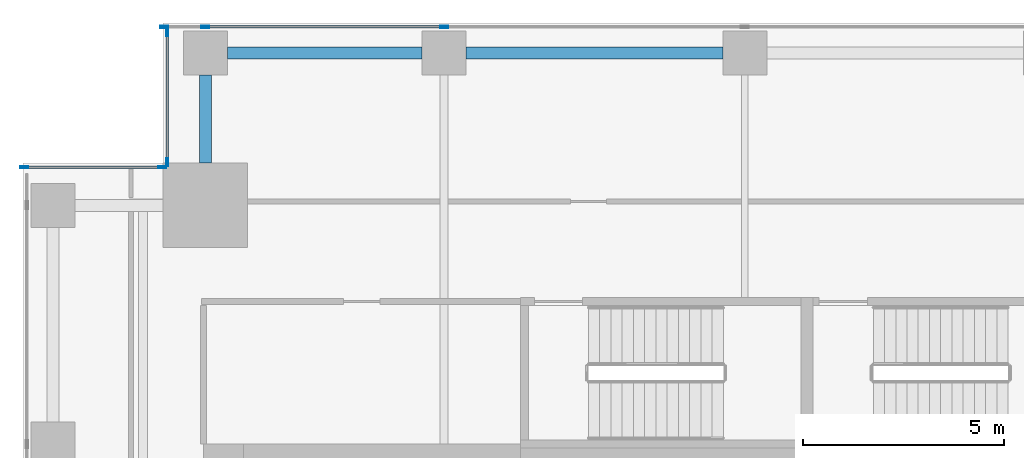
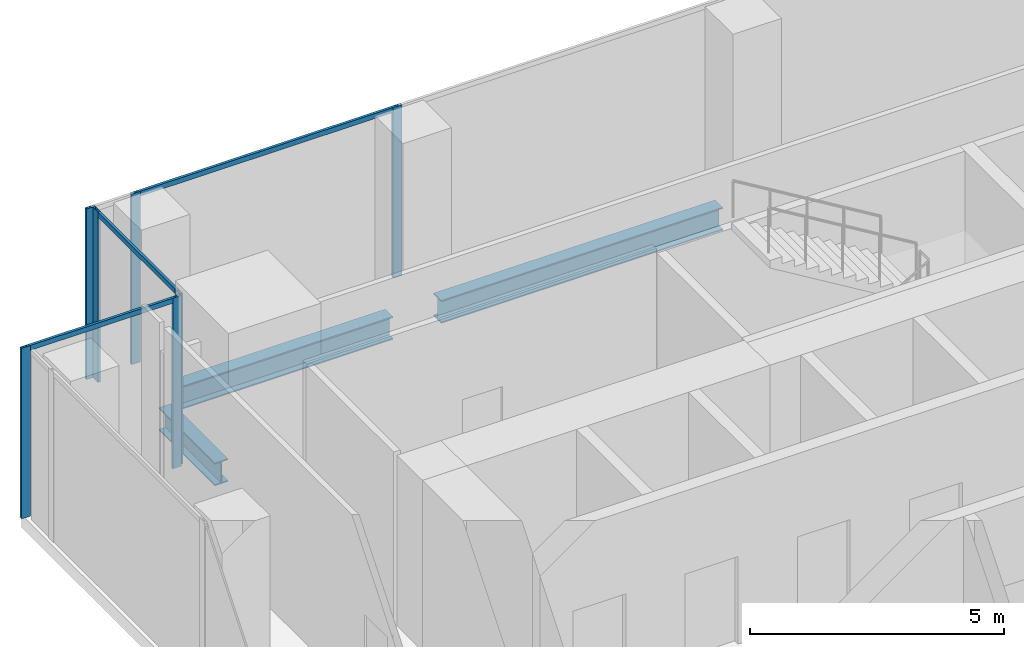
# One storey, part 16 of 35: 10 members, 3 beams, 3 elements without a shape of their own.
"""IFC4 building model written with IfcOpenShell, lengths in metres."""

from ifc_helpers import new_model, si_unit, direction, frame, origin, origin_2d, place, context, subcontext, project, spatial, hollow_rectangle, i_section, extrude, source, transform, mapped, material, material_profile, profile_set, type_object, element, aggregate, save


model = new_model("IFC4")

# Units and contexts
model_context = context("Model", 3, precision=1e-05, world=origin(), true_north=direction((0.0, 1.0)))
body_context = subcontext(model_context, "Body", "Model", "MODEL_VIEW")
ifc_project = project(units=[si_unit("LENGTHUNIT", "METRE"), si_unit("AREAUNIT", "SQUARE_METRE"), si_unit("VOLUMEUNIT", "CUBIC_METRE"), si_unit("PLANEANGLEUNIT", "RADIAN"), si_unit("MASSUNIT", "GRAM", prefix="KILO")], contexts=[model_context])

# Site, building, storey
site_placement = place(None, origin())
site = spatial("IfcSite", under=ifc_project, at=site_placement, CompositionType="ELEMENT")
building_placement = place(site_placement, origin())
building = spatial("IfcBuilding", under=site, at=building_placement, Name="Khomas Fold Tower", CompositionType="ELEMENT")
storey_placement = place(building_placement, frame((0.0, 0.0, 132.300048828125)))
storey = spatial("IfcBuildingStorey", under=building, at=storey_placement, Name="L28", CompositionType="ELEMENT", Elevation=132.300048828125)

# Beams
ifc_material_1 = material(Name="Steel S355", Category="steel")
ifc_material_profile_1 = material_profile(ifc_material_1, i_section(OverallWidth=0.300048828125, OverallDepth=0.550048828125, WebThickness=0.014892578125, FlangeThickness=0.029052734375, at=origin_2d()), Name="HE 550 B")
ifc_profile_set_1 = profile_set([ifc_material_profile_1], Name="Steel S355")
beam_type = type_object("IfcBeamType", Name="HE 550 B spandrel SB2", PredefinedType="SPANDREL", material=ifc_profile_set_1)
shared_shape_1 = source(origin(), body_context, "Body", "SweptSolid", [
    extrude(i_section(OverallWidth=0.300048828125, OverallDepth=0.550048828125, WebThickness=0.014892578125, FlangeThickness=0.029052734375, at=origin_2d()), origin(), (0.0, 0.0, 1.0), 4.849853515625),
])
beam_1_placement = place(storey_placement, frame((6.60009765625, 51.75, -0.574951171875), z_axis=(1.0, 0.0, 0.0), x_axis=(0.0, 1.0, 0.0)))
element("IfcBeam", 1, at=beam_1_placement, inside=storey, type_object=beam_type, Name="SB2", PredefinedType="SPANDREL", context=body_context, shape_type="MappedRepresentation", body=[
    mapped(shared_shape_1, transform((0.0, 0.0, 0.0))),
])
shared_shape_2 = source(origin(), body_context, "Body", "SweptSolid", [
    extrude(i_section(OverallWidth=0.300048828125, OverallDepth=0.550048828125, WebThickness=0.014892578125, FlangeThickness=0.029052734375, at=origin_2d()), origin(), (0.0, 0.0, 1.0), 6.39990234375),
])
beam_2_placement = place(storey_placement, frame((12.550048828125, 51.75, -0.574951171875), z_axis=(1.0, 0.0, 0.0), x_axis=(0.0, 1.0, 0.0)))
element("IfcBeam", 2, at=beam_2_placement, inside=storey, type_object=beam_type, Name="SB2", PredefinedType="SPANDREL", context=body_context, shape_type="MappedRepresentation", body=[
    mapped(shared_shape_2, transform((0.0, 0.0, 0.0))),
])
shared_shape_3 = source(origin(), body_context, "Body", "SweptSolid", [
    extrude(i_section(OverallWidth=0.300048828125, OverallDepth=0.550048828125, WebThickness=0.014892578125, FlangeThickness=0.029052734375, at=origin_2d()), origin(), (0.0, 0.0, 1.0), 2.199951171875),
])
beam_3_placement = place(storey_placement, frame((6.050048828125, 49.0, -0.574951171875), z_axis=(0.0, 1.0, 0.0), x_axis=(-1.0, 0.0, 0.0)))
element("IfcBeam", 3, at=beam_3_placement, inside=storey, type_object=beam_type, Name="SB2", PredefinedType="SPANDREL", context=body_context, shape_type="MappedRepresentation", body=[
    mapped(shared_shape_3, transform((0.0, 0.0, 0.0))),
])

# Curtain wall, member
ifc_material_2 = material(Name="Aluminium framed double glazing", Category="aluminium")
curtain_wall_type = type_object("IfcCurtainWallType", Name="SK-Unitised clear-glass wall, growing floors CW1", PredefinedType="NOTDEFINED", material=ifc_material_2)
curtain_wall_1_placement = place(storey_placement, origin())
curtain_wall_1 = element("IfcCurtainWall", 4, at=curtain_wall_1_placement, inside=storey, type_object=curtain_wall_type, Name="CW1 run L28 06-0", PredefinedType="NOTDEFINED")
ifc_material_3 = material(Name="Aluminium", Category="aluminium")
ifc_material_profile_2 = material_profile(ifc_material_3, hollow_rectangle(XDim=0.06005859375, YDim=0.1201171875, WallThickness=0.00390625, at=origin_2d()), Name="SK-Unitised clear-glass wall, growing floors transom CW1-T")
ifc_profile_set_2 = profile_set([ifc_material_profile_2], Name="Aluminium")
member_type_1 = type_object("IfcMemberType", Name="SK-Unitised clear-glass wall, growing floors transom CW1-T", PredefinedType="USERDEFINED", material=ifc_profile_set_2)
shared_shape_4 = source(origin(), body_context, "Body", "SweptSolid", [
    extrude(hollow_rectangle(XDim=0.06005859375, YDim=0.1201171875, WallThickness=0.00390625, at=origin_2d()), origin(), (0.0, 0.0, 1.0), 5.889892578125),
])
member_1_placement = place(storey_placement, frame((11.969970703125, 52.39990234375, 4.0400390625), z_axis=(-1.0, 0.0, 0.0), x_axis=(0.0, -1.0, 0.0)))
member_1 = element("IfcMember", 5, at=member_1_placement, type_object=member_type_1, Name="CW1 transom 7", ObjectType="TRANSOM", PredefinedType="USERDEFINED", context=body_context, shape_type="MappedRepresentation", body=[
    mapped(shared_shape_4, transform((0.0, 0.0, 0.0))),
])

curtain_wall_2_placement = place(storey_placement, origin())
curtain_wall_2 = element("IfcCurtainWall", 6, at=curtain_wall_2_placement, inside=storey, type_object=curtain_wall_type, Name="CW1 corner return L28 07", PredefinedType="NOTDEFINED")
shared_shape_5 = source(origin(), body_context, "Body", "SweptSolid", [
    extrude(hollow_rectangle(XDim=0.06005859375, YDim=0.1201171875, WallThickness=0.00390625, at=origin_2d()), origin(), (0.0, 0.0, 1.0), 3.179931640625),
])
member_2_placement = place(storey_placement, frame((5.10009765625, 52.239990234375, 4.0400390625), z_axis=(0.0, -1.0, 0.0), x_axis=(1.0, 0.0, 0.0)))
member_2 = element("IfcMember", 7, at=member_2_placement, type_object=member_type_1, Name="CW1 transom 1", ObjectType="TRANSOM", PredefinedType="USERDEFINED", context=body_context, shape_type="MappedRepresentation", body=[
    mapped(shared_shape_5, transform((0.0, 0.0, 0.0))),
])

curtain_wall_3_placement = place(storey_placement, origin())
curtain_wall_3 = element("IfcCurtainWall", 8, at=curtain_wall_3_placement, inside=storey, type_object=curtain_wall_type, Name="CW1 corner return L28 08", PredefinedType="NOTDEFINED")
shared_shape_6 = source(origin(), body_context, "Body", "SweptSolid", [
    extrude(hollow_rectangle(XDim=0.06005859375, YDim=0.1201171875, WallThickness=0.00390625, at=origin_2d()), origin(), (0.0, 0.0, 1.0), 3.3798828125),
])
member_3_placement = place(storey_placement, frame((4.93994140625, 48.89990234375, 4.0400390625), z_axis=(-1.0, 0.0, 0.0), x_axis=(0.0, -1.0, 0.0)))
member_3 = element("IfcMember", 9, at=member_3_placement, type_object=member_type_1, Name="CW1 transom 1", ObjectType="TRANSOM", PredefinedType="USERDEFINED", context=body_context, shape_type="MappedRepresentation", body=[
    mapped(shared_shape_6, transform((0.0, 0.0, 0.0))),
])

# Member
ifc_material_4 = material(Name="Aluminium", Category="aluminium")
ifc_material_profile_3 = material_profile(ifc_material_4, hollow_rectangle(XDim=0.06005859375, YDim=0.199951171875, WallThickness=0.00390625, at=origin_2d()), Name="SK-Unitised clear-glass wall, growing floors mullion CW1-M")
ifc_profile_set_3 = profile_set([ifc_material_profile_3], Name="Aluminium")
member_type_2 = type_object("IfcMemberType", Name="SK-Unitised clear-glass wall, growing floors mullion CW1-M", PredefinedType="MULLION", material=ifc_profile_set_3)
shared_shape_7 = source(origin(), body_context, "Body", "SweptSolid", [
    extrude(hollow_rectangle(XDim=0.06005859375, YDim=0.199951171875, WallThickness=0.00390625, at=origin_2d()), origin(), (0.0, 0.0, 1.0), 4.099853515625),
])
member_4_placement = place(storey_placement, frame((12.0, 52.39990234375, 0.0), z_axis=(0.0, 0.0, 1.0), x_axis=(0.0, -1.0, 0.0)))
member_4 = element("IfcMember", 10, at=member_4_placement, type_object=member_type_2, Name="CW1 mullion 7", PredefinedType="MULLION", context=body_context, shape_type="MappedRepresentation", body=[
    mapped(shared_shape_7, transform((0.0, 0.0, 0.0))),
])

member_5_placement = place(storey_placement, frame((6.050048828125, 52.39990234375, 0.0), z_axis=(0.0, 0.0, 1.0), x_axis=(0.0, -1.0, 0.0)))
member_5 = element("IfcMember", 11, at=member_5_placement, type_object=member_type_2, Name="CW1 mullion 8", PredefinedType="MULLION", context=body_context, shape_type="MappedRepresentation", body=[
    mapped(shared_shape_7, transform((0.0, 0.0, 0.0))),
])

member_6_placement = place(storey_placement, frame((5.030029296875, 52.39990234375, 0.0), z_axis=(0.0, 0.0, 1.0), x_axis=(0.0, -1.0, 0.0)))
member_6 = element("IfcMember", 12, at=member_6_placement, type_object=member_type_2, Name="CW1 mullion 9", PredefinedType="MULLION", context=body_context, shape_type="MappedRepresentation", body=[
    mapped(shared_shape_7, transform((0.0, 0.0, 0.0))),
])

aggregate(curtain_wall_1, [member_4, member_5, member_6, member_1])

member_7_placement = place(storey_placement, frame((5.10009765625, 52.27001953125, 0.0), z_axis=(0.0, 0.0, 1.0), x_axis=(1.0, 0.0, 0.0)))
member_7 = element("IfcMember", 13, at=member_7_placement, type_object=member_type_2, Name="CW1 mullion 1", PredefinedType="MULLION", context=body_context, shape_type="MappedRepresentation", body=[
    mapped(shared_shape_7, transform((0.0, 0.0, 0.0))),
])

member_8_placement = place(storey_placement, frame((5.10009765625, 49.030029296875, 0.0), z_axis=(0.0, 0.0, 1.0), x_axis=(1.0, 0.0, 0.0)))
member_8 = element("IfcMember", 14, at=member_8_placement, type_object=member_type_2, Name="CW1 mullion 2", PredefinedType="MULLION", context=body_context, shape_type="MappedRepresentation", body=[
    mapped(shared_shape_7, transform((0.0, 0.0, 0.0))),
])

aggregate(curtain_wall_2, [member_7, member_8, member_2])

member_9_placement = place(storey_placement, frame((4.969970703125, 48.89990234375, 0.0), z_axis=(0.0, 0.0, 1.0), x_axis=(0.0, -1.0, 0.0)))
member_9 = element("IfcMember", 15, at=member_9_placement, type_object=member_type_2, Name="CW1 mullion 1", PredefinedType="MULLION", context=body_context, shape_type="MappedRepresentation", body=[
    mapped(shared_shape_7, transform((0.0, 0.0, 0.0))),
])

member_10_placement = place(storey_placement, frame((1.530029296875, 48.89990234375, 0.0), z_axis=(0.0, 0.0, 1.0), x_axis=(0.0, -1.0, 0.0)))
member_10 = element("IfcMember", 16, at=member_10_placement, type_object=member_type_2, Name="CW1 mullion 2", PredefinedType="MULLION", context=body_context, shape_type="MappedRepresentation", body=[
    mapped(shared_shape_7, transform((0.0, 0.0, 0.0))),
])

aggregate(curtain_wall_3, [member_9, member_10, member_3])

save(model, "model.ifc")
